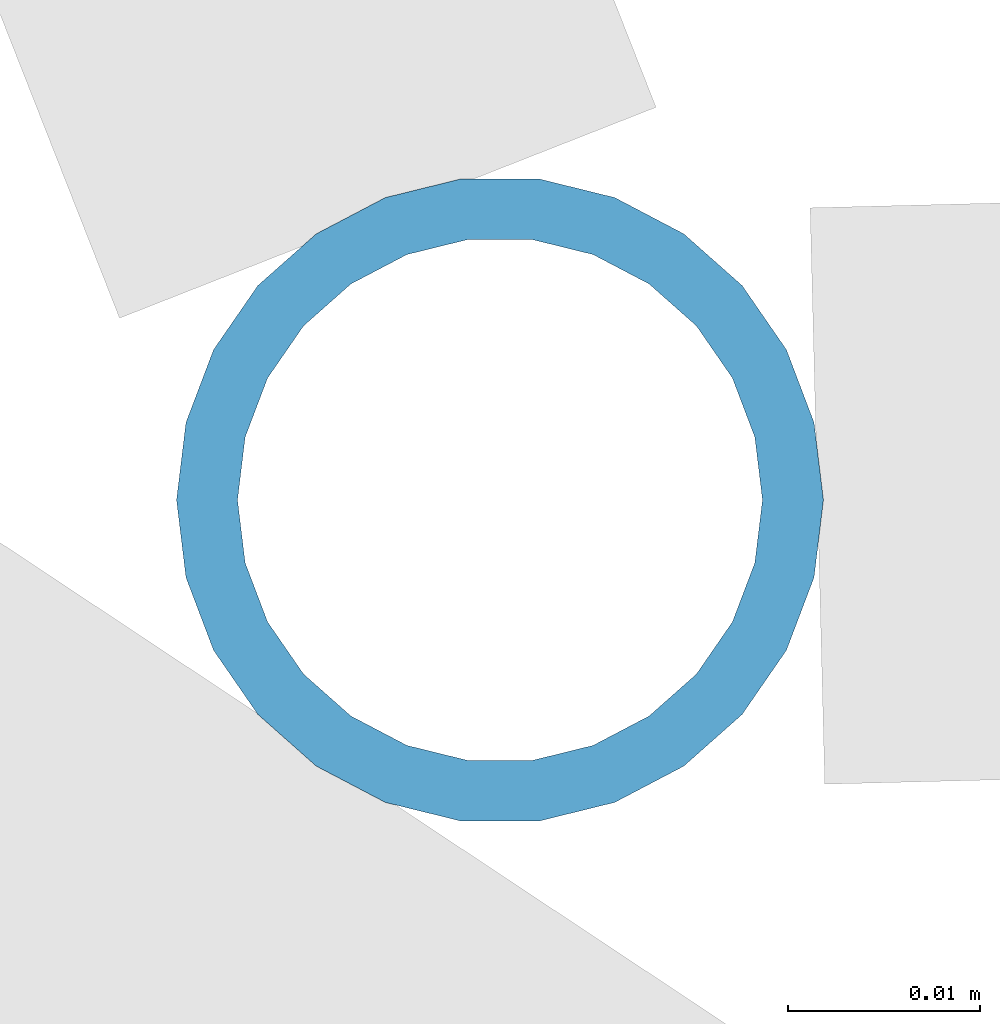
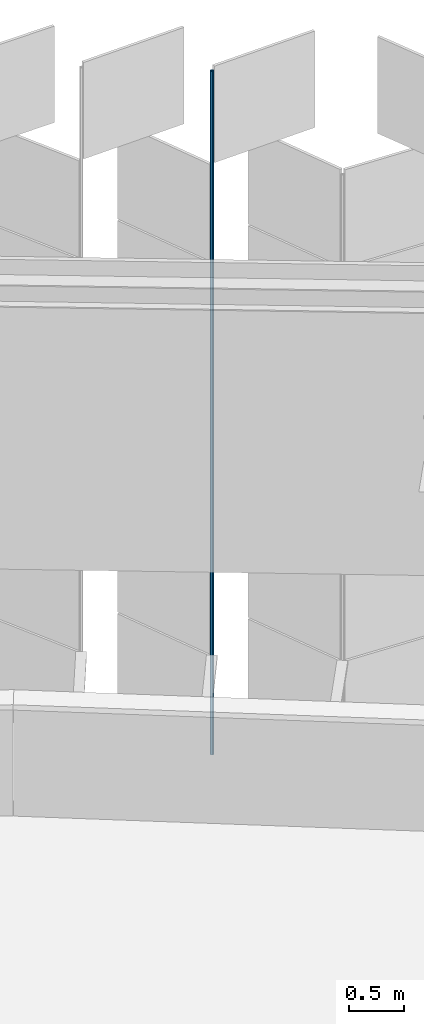
# One storey, part 411 of 483: 1 discrete accessory.
"""IFC4 building model written with IfcOpenShell, lengths in metres."""

import ifcopenshell
import ifcopenshell.guid

model = None  # the IFC model being written
_history = None  # IfcOwnerHistory: only IFC2X3 demands one
_inside = {}  # id of a spatial element -> (the spatial element, [elements in it])
_under = {}  # id of a project, library or spatial element -> (it, [spatial elements below it])
_declared = {}  # id of a project -> (the project, [libraries it declares])
_typed = {}  # id of a type object -> (the type object, [elements of that type])
_made_of = {}  # id of a material, layer set ... -> (it, [elements and type objects made of it])


def new_model(schema):
    """Start an empty IFC model of exactly this schema.

    Asked for "IFC4X3", IfcOpenShell would pick the latest addendum, in which some entities
    have other attributes; the version numbers below select the first issue.
    IFC2X3 requires an IfcOwnerHistory on every rooted entity: one is made here for all.
    """
    global model, _history
    if schema == "IFC4X3":
        model = ifcopenshell.file(schema_version=(4, 3, 0, 0))
    else:
        model = ifcopenshell.file(schema=schema)
    _inside.clear()
    _under.clear()
    _declared.clear()
    _typed.clear()
    _made_of.clear()
    _history = None
    if model.schema == "IFC2X3":
        org = make("IfcOrganization", Name="unknown")
        user = make(
            "IfcPersonAndOrganization",
            ThePerson=make("IfcPerson", FamilyName="unknown"),
            TheOrganization=org,
        )
        app = make(
            "IfcApplication",
            ApplicationDeveloper=org,
            Version="unknown",
            ApplicationFullName="unknown",
            ApplicationIdentifier="unknown",
        )
        _history = make(
            "IfcOwnerHistory",
            OwningUser=user,
            OwningApplication=app,
            ChangeAction="ADDED",
            CreationDate=0,
        )
    return model


def make(cls, **values):
    """One entity of the class cls with the attributes given. An attribute that is None is left unset."""
    return model.create_entity(
        cls, **{name: value for name, value in values.items() if value is not None}
    )


def rooted(cls, **values):
    """An entity with a GlobalId (a new one), such as an element, a storey or a relation."""
    return make(cls, GlobalId=ifcopenshell.guid.new(), OwnerHistory=_history, **values)


def si_unit(unit_type, name, prefix=None):
    """IfcSIUnit, for example si_unit("LENGTHUNIT", "METRE", prefix="MILLI")."""
    return make("IfcSIUnit", UnitType=unit_type, Prefix=prefix, Name=name)


def assignment(units):
    """IfcUnitAssignment: the units of a project."""
    return None if units is None else make("IfcUnitAssignment", Units=units)


def point(xyz):
    """IfcCartesianPoint."""
    return None if xyz is None else make("IfcCartesianPoint", Coordinates=xyz)


def direction(xyz):
    """IfcDirection."""
    return None if xyz is None else make("IfcDirection", DirectionRatios=xyz)


def frame(location, z_axis=None, x_axis=None):
    """IfcAxis2Placement3D, a coordinate frame: its origin and axes. An axis left out is left unset."""
    return make(
        "IfcAxis2Placement3D",
        Location=point(location),
        Axis=direction(z_axis),
        RefDirection=direction(x_axis),
    )


def frame_2d(location, x_axis=None):
    """IfcAxis2Placement2D, a coordinate frame in the plane: its origin and x axis."""
    return make(
        "IfcAxis2Placement2D", Location=point(location), RefDirection=direction(x_axis)
    )


def origin():
    """The frame at (0, 0, 0) with its axes left unset."""
    return frame((0.0, 0.0, 0.0))


def origin_2d():
    """The frame at (0, 0) in the plane with its x axis left unset."""
    return frame_2d((0.0, 0.0))


def place(relative_to, where):
    """IfcLocalPlacement: puts the frame where relative to a parent placement (None: the world)."""
    return make(
        "IfcLocalPlacement", PlacementRelTo=relative_to, RelativePlacement=where
    )


def context(
    kind, dimensions, precision=None, world=None, true_north=None, identifier=None
):
    """IfcGeometricRepresentationContext, for example the 3D "Model" context."""
    return make(
        "IfcGeometricRepresentationContext",
        ContextIdentifier=identifier,
        ContextType=kind,
        CoordinateSpaceDimension=dimensions,
        Precision=precision,
        WorldCoordinateSystem=world,
        TrueNorth=true_north,
    )


def subcontext(parent, identifier, kind, view, scale=None):
    """IfcGeometricRepresentationSubContext, for example "Body" below "Model"."""
    return make(
        "IfcGeometricRepresentationSubContext",
        ContextIdentifier=identifier,
        ContextType=kind,
        ParentContext=parent,
        TargetScale=scale,
        TargetView=view,
    )


def project(units=None, contexts=None):
    """IfcProject with its units and contexts."""
    return rooted(
        "IfcProject",
        Name="project",
        RepresentationContexts=contexts,
        UnitsInContext=assignment(units),
    )


def spatial(cls, under=None, at=None, **own):
    """A site, building, storey or space (cls), placed at a placement, below another one or the project."""
    s = rooted(cls, ObjectPlacement=at, **own)
    if under is not None:
        _under.setdefault(under.id(), (under, []))[1].append(s)
    return s


def profile(cls, at=None, kind="AREA", **sizes):
    """A parametric profile (cls). Its sizes go by their IFC names, for example OverallWidth=200.0."""
    return make(cls, ProfileType=kind, Position=at, **sizes)


def hollow_circle(**sizes):
    """IfcCircleHollowProfileDef."""
    return profile("IfcCircleHollowProfileDef", **sizes)


def extrude(swept, where, along, depth):
    """IfcExtrudedAreaSolid: the profile swept, set in the frame where, extruded along a direction by depth."""
    return make(
        "IfcExtrudedAreaSolid",
        SweptArea=swept,
        Position=where,
        ExtrudedDirection=direction(along),
        Depth=depth,
    )


def shape(context_of_items, identifier, shape_type, items):
    """IfcShapeRepresentation: the items that make up one representation, for example the "Body"."""
    return make(
        "IfcShapeRepresentation",
        ContextOfItems=context_of_items,
        RepresentationIdentifier=identifier,
        RepresentationType=shape_type,
        Items=items,
    )


def material(Name=None, Category=None):
    """IfcMaterial."""
    return make("IfcMaterial", Name=Name, Category=Category)


def material_profile(
    of_material, cross_section, Name=None, Category=None, Priority=None
):
    """IfcMaterialProfile: a cross section and its material."""
    return make(
        "IfcMaterialProfile",
        Name=Name,
        Material=of_material,
        Profile=cross_section,
        Priority=Priority,
        Category=Category,
    )


def profile_set(profiles, Name=None, composite=None):
    """IfcMaterialProfileSet."""
    return make(
        "IfcMaterialProfileSet",
        Name=Name,
        MaterialProfiles=profiles,
        CompositeProfile=composite,
    )


def made_of(thing, what):
    """Note that an element or type object is made of a material, layer set ...; save() writes the relation."""
    if what is not None:
        _made_of.setdefault(what.id(), (what, []))[1].append(thing)
    return thing


def type_object(cls, material=None, **own):
    """A type object (cls), such as IfcWallType, which elements share."""
    return made_of(rooted(cls, **own), material)


def element(
    cls,
    number,
    at=None,
    inside=None,
    cuts=None,
    type_object=None,
    material=None,
    context=None,
    identifier="Body",
    shape_type=None,
    held_by="IfcProductDefinitionShape",
    body=None,
    shapes=None,
    **own,
):
    """One element of the class cls, such as IfcWall. Its Tag is "e" and its number.

    at: its placement. inside: the storey or other place that contains it. cuts: it is an
    opening in that element (IfcRelVoidsElement). A single representation is given by context,
    identifier, shape_type and body (its items); several are given by shapes. held_by: the class
    of the entity that holds the representations. save() writes the other relations.
    """
    e = rooted(cls, Tag="e%d" % number, ObjectPlacement=at, **own)
    if body is not None:
        shapes = [shape(context, identifier, shape_type, body)]
    if shapes is not None:
        e.Representation = make(held_by, Representations=shapes)
    if inside is not None:
        _inside.setdefault(inside.id(), (inside, []))[1].append(e)
    if cuts is not None:
        rooted(
            "IfcRelVoidsElement", RelatingBuildingElement=cuts, RelatedOpeningElement=e
        )
    if type_object is not None:
        _typed.setdefault(type_object.id(), (type_object, []))[1].append(e)
    return made_of(e, material)


def aggregate(whole, parts):
    """IfcRelAggregates: a whole, such as a stair, and the parts it consists of."""
    return rooted("IfcRelAggregates", RelatingObject=whole, RelatedObjects=parts)


def save(model, path):
    """Write the relations noted so far, then the file.

    IfcRelAggregates (storeys below a building ...), IfcRelContainedInSpatialStructure (elements
    in a storey), IfcRelDefinesByType, IfcRelAssociatesMaterial and IfcRelDeclares: one each for
    every whole, place, type object, material and project.
    """
    for whole, parts in _under.values():
        aggregate(whole, parts)
    for where, things in _inside.values():
        rooted(
            "IfcRelContainedInSpatialStructure",
            RelatedElements=things,
            RelatingStructure=where,
        )
    for kind, things in _typed.values():
        rooted("IfcRelDefinesByType", RelatedObjects=things, RelatingType=kind)
    for what, things in _made_of.values():
        rooted("IfcRelAssociatesMaterial", RelatedObjects=things, RelatingMaterial=what)
    for by, libraries in _declared.values():
        rooted("IfcRelDeclares", RelatingContext=by, RelatedDefinitions=libraries)
    model.write(path)


model = new_model("IFC4")

# Units and contexts
model_context = context("Model", 3, precision=1e-05, world=origin(), true_north=direction((0.0, 1.0)))
body_context = subcontext(model_context, "Body", "Model", "MODEL_VIEW")
ifc_project = project(units=[si_unit("LENGTHUNIT", "METRE"), si_unit("AREAUNIT", "SQUARE_METRE"), si_unit("VOLUMEUNIT", "CUBIC_METRE"), si_unit("PLANEANGLEUNIT", "RADIAN"), si_unit("MASSUNIT", "GRAM", prefix="KILO")], contexts=[model_context])

# Site, building, storey
site_placement = place(None, origin())
site = spatial("IfcSite", under=ifc_project, at=site_placement, CompositionType="ELEMENT")
building_placement = place(site_placement, origin())
building = spatial("IfcBuilding", under=site, at=building_placement, Name="Parallax Yard Mobility Hub", CompositionType="ELEMENT")
storey_placement = place(building_placement, frame((0.0, 0.0, 13.199951171875)))
storey = spatial("IfcBuildingStorey", under=building, at=storey_placement, Name="L04", CompositionType="ELEMENT", Elevation=13.199951171875)

# Discrete accessory
ifc_material = material(Name="Steel ASTM A500 Gr C, hot-dip galvanised", Category="steel")
ifc_material_profile = material_profile(ifc_material, hollow_circle(Radius=0.016845703125, WallThickness=0.003173828125, at=origin_2d()), Name="CHS 33.7x3.2")
ifc_profile_set = profile_set([ifc_material_profile], Name="Steel ASTM A500 Gr C, hot-dip galvanised")
discrete_accessory_type = type_object("IfcDiscreteAccessoryType", Name="Hinge post CHS 33.7x3.2", PredefinedType="BRACKET", material=ifc_profile_set)
discrete_accessory_placement = place(storey_placement, frame((201.873779296875, 134.497802734375, 0.0), z_axis=(0.0, 0.0, 1.0), x_axis=(1.0, 0.0, 0.0)))
element("IfcDiscreteAccessory", 1, at=discrete_accessory_placement, inside=storey, type_object=discrete_accessory_type, Name="Hinge post bay 47.3 level L04", PredefinedType="BRACKET", context=body_context, shape_type="SweptSolid", body=[
    extrude(hollow_circle(Radius=0.016845703125, WallThickness=0.003173828125, at=origin_2d()), origin(), (0.0, 0.0, 1.0), 7.650146484375),
])

save(model, "model.ifc")
